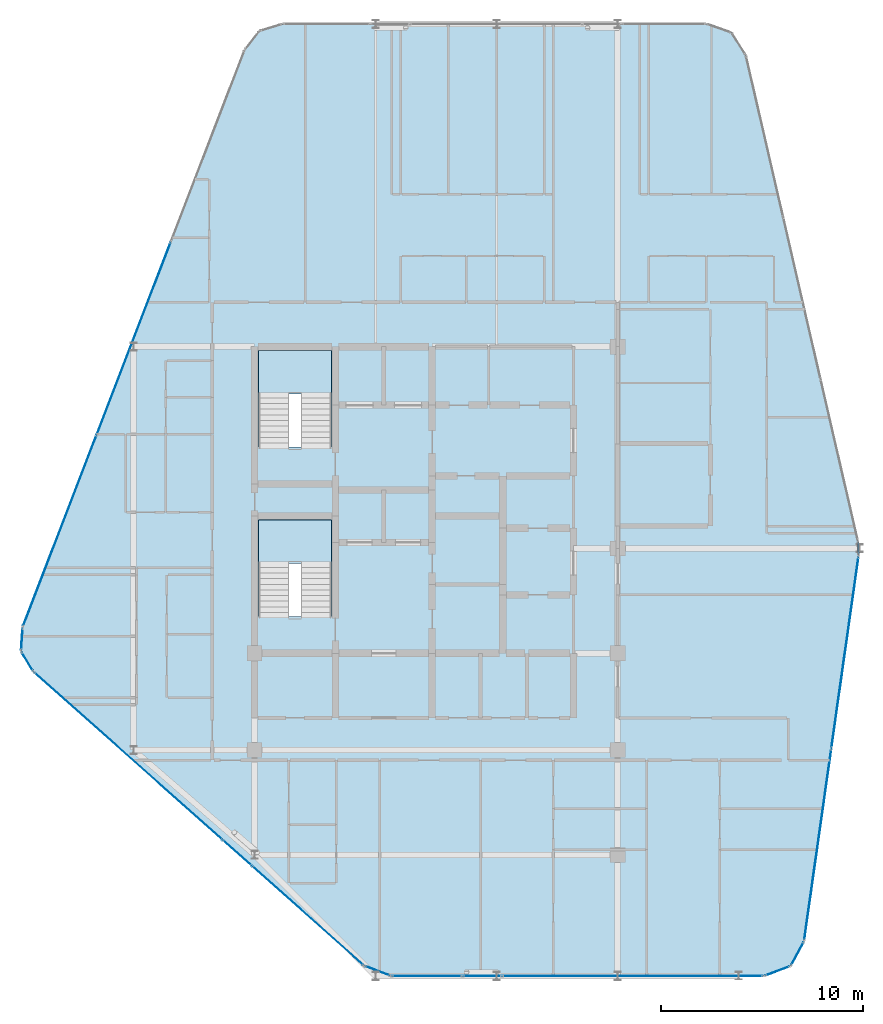
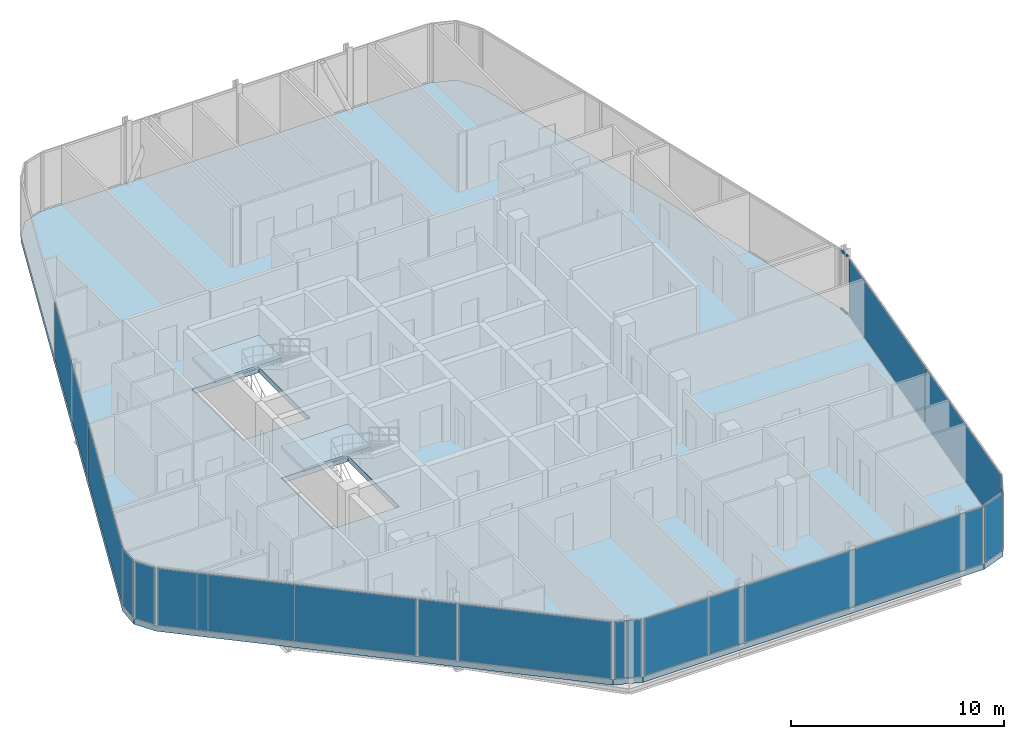
# One storey, part 20 of 27: 15 plates, 3 slabs, 2 members, 16 elements without a shape of their own.
"""IFC4 building model written with IfcOpenShell, lengths in metres."""

from ifc_helpers import new_model, si_unit, direction, frame, origin, origin_2d, place, context, subcontext, project, spatial, polyline, rectangle, hollow_rectangle, outline, extrude, material, layer, layer_set, material_profile, profile_set, type_object, element, aggregate, save


model = new_model("IFC4")

# Units and contexts
model_context = context("Model", 3, precision=1e-05, world=origin(), true_north=direction((0.0, 1.0)))
body_context = subcontext(model_context, "Body", "Model", "MODEL_VIEW")
ifc_project = project(units=[si_unit("LENGTHUNIT", "METRE"), si_unit("AREAUNIT", "SQUARE_METRE"), si_unit("VOLUMEUNIT", "CUBIC_METRE"), si_unit("PLANEANGLEUNIT", "RADIAN"), si_unit("MASSUNIT", "GRAM", prefix="KILO")], contexts=[model_context])

# Site, building, storey
site_placement = place(None, origin())
site = spatial("IfcSite", under=ifc_project, at=site_placement, CompositionType="ELEMENT")
building_placement = place(site_placement, origin())
building = spatial("IfcBuilding", under=site, at=building_placement, Name="Keshet Zoharim Tower", CompositionType="ELEMENT")
storey_placement = place(building_placement, frame((0.0, 0.0, 262.10009765625)))
storey = spatial("IfcBuildingStorey", under=building, at=storey_placement, Name="L65", CompositionType="ELEMENT", Elevation=262.10009765625)

# Curtain wall, members
ifc_material_1 = material(Name="Aluminium 6063-T6", Category="aluminium")
ifc_layer_1 = layer(ifc_material_1, 0.260009765625)
ifc_layer_set_1 = layer_set([ifc_layer_1], Name="Aluminium 6063-T6")
curtain_wall_type = type_object("IfcCurtainWallType", Name="CW-SYS-06", PredefinedType="NOTDEFINED", material=ifc_layer_set_1)
curtain_wall_1_placement = place(storey_placement, origin())
curtain_wall_1 = element("IfcCurtainWall", 1, at=curtain_wall_1_placement, inside=storey, type_object=curtain_wall_type, Name="L65 Unitised Curtain Wall 10", PredefinedType="NOTDEFINED")
ifc_material_profile = material_profile(ifc_material_1, hollow_rectangle(XDim=0.074951171875, YDim=0.1201171875, WallThickness=0.00390625, at=origin_2d()), Name="TRN-75x120")
ifc_profile_set = profile_set([ifc_material_profile], Name="Aluminium 6063-T6")
member_type = type_object("IfcMemberType", Name="CWT-T12", PredefinedType="USERDEFINED", material=ifc_profile_set)
member_1_placement = place(storey_placement, frame((44.9189453125, 28.192138671875, 0.034912109375), z_axis=(0.043813905352, -0.99903970977, 0.0), x_axis=(0.99903970977, 0.043813905352, 0.0)))
member_1 = element("IfcMember", 2, at=member_1_placement, type_object=member_type, Name="CW-06 transom 1.1", ObjectType="TRANSOM", PredefinedType="USERDEFINED", context=body_context, shape_type="SweptSolid", body=[
    extrude(hollow_rectangle(XDim=0.074951171875, YDim=0.1201171875, WallThickness=0.00390625, at=origin_2d()), origin(), (0.0, 0.0, 1.0), 0.590576171875),
])
member_2_placement = place(storey_placement, frame((44.9189453125, 28.192138671875, 3.35498046875), z_axis=(0.043813905352, -0.99903970977, 0.0), x_axis=(0.99903970977, 0.043813905352, 0.0)))
member_2 = element("IfcMember", 3, at=member_2_placement, type_object=member_type, Name="CW-06 transom 1.2", ObjectType="TRANSOM", PredefinedType="USERDEFINED", context=body_context, shape_type="SweptSolid", body=[
    extrude(hollow_rectangle(XDim=0.074951171875, YDim=0.1201171875, WallThickness=0.00390625, at=origin_2d()), origin(), (0.0, 0.0, 1.0), 0.590576171875),
])
aggregate(curtain_wall_1, [member_1, member_2])

# Curtain wall, plate
curtain_wall_2_placement = place(storey_placement, origin())
curtain_wall_2 = element("IfcCurtainWall", 4, at=curtain_wall_2_placement, inside=storey, type_object=curtain_wall_type, Name="L65 Unitised Curtain Wall 01", PredefinedType="NOTDEFINED")
ifc_material_2 = material(Name="Insulated Low-E Clear Glass", Category="glass")
ifc_layer_2 = layer(ifc_material_2, 0.028076171875)
ifc_layer_set_2 = layer_set([ifc_layer_2], Name="Insulated Low-E Clear Glass")
plate_type_1 = type_object("IfcPlateType", Name="CWP-03", PredefinedType="CURTAIN_PANEL", material=ifc_layer_set_2)
plate_1_placement = place(storey_placement, frame((3.7275390625, 22.291015625, 0.06982421875), z_axis=(0.0, 0.0, 1.0), x_axis=(-0.515604947933, 0.856826433805, 0.0)))
plate_1 = element("IfcPlate", 5, at=plate_1_placement, type_object=plate_type_1, Name="CW-06 panel 1.1", PredefinedType="CURTAIN_PANEL", context=body_context, shape_type="SweptSolid", body=[
    extrude(rectangle(XDim=1.052734375, YDim=0.028076171875, at=origin_2d()), origin(), (0.0, 0.0, 1.0), 3.25),
])
aggregate(curtain_wall_2, [plate_1])

curtain_wall_3_placement = place(storey_placement, origin())
curtain_wall_3 = element("IfcCurtainWall", 6, at=curtain_wall_3_placement, inside=storey, type_object=curtain_wall_type, Name="L65 Unitised Curtain Wall 02", PredefinedType="NOTDEFINED")
plate_2_placement = place(storey_placement, frame((3.45849609375, 23.3974609375, 0.06982421875), z_axis=(0.0, 0.0, 1.0), x_axis=(0.064516859374, 0.997916617186, 0.0)))
plate_2 = element("IfcPlate", 7, at=plate_2_placement, type_object=plate_type_1, Name="CW-06 panel 1.1", PredefinedType="CURTAIN_PANEL", context=body_context, shape_type="SweptSolid", body=[
    extrude(rectangle(XDim=1.053466796875, YDim=0.028076171875, at=origin_2d()), origin(), (0.0, 0.0, 1.0), 3.25),
])
aggregate(curtain_wall_3, [plate_2])

# Curtain wall, plates
curtain_wall_4_placement = place(storey_placement, origin())
curtain_wall_4 = element("IfcCurtainWall", 8, at=curtain_wall_4_placement, inside=storey, type_object=curtain_wall_type, Name="L65 Unitised Curtain Wall 03", PredefinedType="NOTDEFINED")
plate_3_placement = place(storey_placement, frame((5.33837890625, 28.7802734375, 0.06982421875), z_axis=(0.0, 0.0, 1.0), x_axis=(0.358990003907, 0.933341404361, 0.0)))
plate_3 = element("IfcPlate", 9, at=plate_3_placement, type_object=plate_type_1, Name="CW-06 panel 1.1", PredefinedType="CURTAIN_PANEL", context=body_context, shape_type="SweptSolid", body=[
    extrude(rectangle(XDim=10.1181640625, YDim=0.028076171875, at=origin_2d()), origin(), (0.0, 0.0, 1.0), 3.25),
])
plate_4_placement = place(storey_placement, frame((9.001953125, 38.305419921875, 0.06982421875), z_axis=(0.0, 0.0, 1.0), x_axis=(0.358990003907, 0.933341404361, 0.0)))
plate_4 = element("IfcPlate", 10, at=plate_4_placement, type_object=plate_type_1, Name="CW-06 panel 2.1", PredefinedType="CURTAIN_PANEL", context=body_context, shape_type="SweptSolid", body=[
    extrude(rectangle(XDim=10.153076171875, YDim=0.028076171875, at=origin_2d()), origin(), (0.0, 0.0, 1.0), 3.25),
])
aggregate(curtain_wall_4, [plate_3, plate_4])

curtain_wall_5_placement = place(storey_placement, origin())
curtain_wall_5 = element("IfcCurtainWall", 11, at=curtain_wall_5_placement, inside=storey, type_object=curtain_wall_type, Name="L65 Unitised Curtain Wall 11", PredefinedType="NOTDEFINED")
plate_5_placement = place(storey_placement, frame((44.269287109375, 22.736572265625, 0.06982421875), z_axis=(0.0, 0.0, 1.0), x_axis=(-0.140137464177, -0.990132057422, 0.0)))
plate_5 = element("IfcPlate", 12, at=plate_5_placement, type_object=plate_type_1, Name="CW-06 panel 1.1", PredefinedType="CURTAIN_PANEL", context=body_context, shape_type="SweptSolid", body=[
    extrude(rectangle(XDim=9.546142578125, YDim=0.028076171875, at=origin_2d()), origin(), (0.0, 0.0, 1.0), 3.25),
])
plate_6_placement = place(storey_placement, frame((42.921630859375, 13.21533203125, 0.06982421875), z_axis=(0.0, 0.0, 1.0), x_axis=(-0.140137464177, -0.990132057422, 0.0)))
plate_6 = element("IfcPlate", 13, at=plate_6_placement, type_object=plate_type_1, Name="CW-06 panel 2.1", PredefinedType="CURTAIN_PANEL", context=body_context, shape_type="SweptSolid", body=[
    extrude(rectangle(XDim=9.546142578125, YDim=0.028076171875, at=origin_2d()), origin(), (0.0, 0.0, 1.0), 3.25),
])
aggregate(curtain_wall_5, [plate_5, plate_6])

# Curtain wall, plate
curtain_wall_6_placement = place(storey_placement, origin())
curtain_wall_6 = element("IfcCurtainWall", 14, at=curtain_wall_6_placement, inside=storey, type_object=curtain_wall_type, Name="L65 Unitised Curtain Wall 12", PredefinedType="NOTDEFINED")
plate_7_placement = place(storey_placement, frame((41.908447265625, 7.804931640625, 0.06982421875), z_axis=(0.0, 0.0, 1.0), x_axis=(-0.477800955789, -0.878468125004, 0.0)))
plate_7 = element("IfcPlate", 15, at=plate_7_placement, type_object=plate_type_1, Name="CW-06 panel 1.1", PredefinedType="CURTAIN_PANEL", context=body_context, shape_type="SweptSolid", body=[
    extrude(rectangle(XDim=1.26025390625, YDim=0.028076171875, at=origin_2d()), origin(), (0.0, 0.0, 1.0), 3.25),
])
aggregate(curtain_wall_6, [plate_7])

curtain_wall_7_placement = place(storey_placement, origin())
curtain_wall_7 = element("IfcCurtainWall", 16, at=curtain_wall_7_placement, inside=storey, type_object=curtain_wall_type, Name="L65 Unitised Curtain Wall 13", PredefinedType="NOTDEFINED")
plate_8_placement = place(storey_placement, frame((40.91845703125, 6.945068359375, 0.06982421875), z_axis=(0.0, 0.0, 1.0), x_axis=(-0.936710343781, -0.350105315376, 0.0)))
plate_8 = element("IfcPlate", 17, at=plate_8_placement, type_object=plate_type_1, Name="CW-06 panel 1.1", PredefinedType="CURTAIN_PANEL", context=body_context, shape_type="SweptSolid", body=[
    extrude(rectangle(XDim=1.259521484375, YDim=0.028076171875, at=origin_2d()), origin(), (0.0, 0.0, 1.0), 3.25),
])
aggregate(curtain_wall_7, [plate_8])

curtain_wall_8_placement = place(storey_placement, origin())
curtain_wall_8 = element("IfcCurtainWall", 18, at=curtain_wall_8_placement, inside=storey, type_object=curtain_wall_type, Name="L65 Unitised Curtain Wall 14", PredefinedType="NOTDEFINED")
plate_9_placement = place(storey_placement, frame((33.743896484375, 6.699951171875, 0.06982421875), z_axis=(0.0, 0.0, 1.0), x_axis=(-1.0, 0.0, 0.0)))
plate_9 = element("IfcPlate", 19, at=plate_9_placement, type_object=plate_type_1, Name="CW-06 panel 1.1", PredefinedType="CURTAIN_PANEL", context=body_context, shape_type="SweptSolid", body=[
    extrude(rectangle(XDim=12.898193359375, YDim=0.028076171875, at=origin_2d()), origin(), (0.0, 0.0, 1.0), 3.25),
])
aggregate(curtain_wall_8, [plate_9])

curtain_wall_9_placement = place(storey_placement, origin())
curtain_wall_9 = element("IfcCurtainWall", 20, at=curtain_wall_9_placement, inside=storey, type_object=curtain_wall_type, Name="L65 Unitised Curtain Wall 14 Part 3", PredefinedType="NOTDEFINED")
plate_10_placement = place(storey_placement, frame((23.552490234375, 6.699951171875, 0.06982421875), z_axis=(0.0, 0.0, 1.0), x_axis=(-1.0, 0.0, 0.0)))
plate_10 = element("IfcPlate", 21, at=plate_10_placement, type_object=plate_type_1, Name="CW-06 panel 1.1", PredefinedType="CURTAIN_PANEL", context=body_context, shape_type="SweptSolid", body=[
    extrude(rectangle(XDim=3.4453125, YDim=0.028076171875, at=origin_2d()), origin(), (0.0, 0.0, 1.0), 3.25),
])
aggregate(curtain_wall_9, [plate_10])

curtain_wall_10_placement = place(storey_placement, origin())
curtain_wall_10 = element("IfcCurtainWall", 22, at=curtain_wall_10_placement, inside=storey, type_object=curtain_wall_type, Name="L65 Unitised Curtain Wall 15", PredefinedType="NOTDEFINED")
plate_11_placement = place(storey_placement, frame((21.095947265625, 6.952392578125, 0.06982421875), z_axis=(0.0, 0.0, 1.0), x_axis=(-0.934699418314, 0.355439161326, 0.0)))
plate_11 = element("IfcPlate", 23, at=plate_11_placement, type_object=plate_type_1, Name="CW-06 panel 1.1", PredefinedType="CURTAIN_PANEL", context=body_context, shape_type="SweptSolid", body=[
    extrude(rectangle(XDim=1.28076171875, YDim=0.028076171875, at=origin_2d()), origin(), (0.0, 0.0, 1.0), 3.25),
])
aggregate(curtain_wall_10, [plate_11])

curtain_wall_11_placement = place(storey_placement, origin())
curtain_wall_11 = element("IfcCurtainWall", 24, at=curtain_wall_11_placement, inside=storey, type_object=curtain_wall_type, Name="L65 Unitised Curtain Wall 16", PredefinedType="NOTDEFINED")
plate_12_placement = place(storey_placement, frame((17.634521484375, 9.691650390625, 0.06982421875), z_axis=(0.0, 0.0, 1.0), x_axis=(-0.747410792699, 0.664362180559, 0.0)))
plate_12 = element("IfcPlate", 25, at=plate_12_placement, type_object=plate_type_1, Name="CW-06 panel 1.1", PredefinedType="CURTAIN_PANEL", context=body_context, shape_type="SweptSolid", body=[
    extrude(rectangle(XDim=7.345947265625, YDim=0.028076171875, at=origin_2d()), origin(), (0.0, 0.0, 1.0), 3.25),
])
aggregate(curtain_wall_11, [plate_12])

curtain_wall_12_placement = place(storey_placement, origin())
curtain_wall_12 = element("IfcCurtainWall", 26, at=curtain_wall_12_placement, inside=storey, type_object=curtain_wall_type, Name="L65 Unitised Curtain Wall 16 Part 3", PredefinedType="NOTDEFINED")
plate_13_placement = place(storey_placement, frame((8.7333984375, 17.603515625, 0.06982421875), z_axis=(0.0, 0.0, 1.0), x_axis=(-0.747409318679, 0.664363838836, 0.0)))
plate_13 = element("IfcPlate", 27, at=plate_13_placement, type_object=plate_type_1, Name="CW-06 panel 1.1", PredefinedType="CURTAIN_PANEL", context=body_context, shape_type="SweptSolid", body=[
    extrude(rectangle(XDim=12.432861328125, YDim=0.028076171875, at=origin_2d()), origin(), (0.0, 0.0, 1.0), 3.25),
])
aggregate(curtain_wall_12, [plate_13])

curtain_wall_13_placement = place(storey_placement, origin())
curtain_wall_13 = element("IfcCurtainWall", 28, at=curtain_wall_13_placement, inside=storey, type_object=curtain_wall_type, Name="L65 Unitised Curtain Wall 14 Part 2", PredefinedType="NOTDEFINED")
ifc_material_3 = material(Name="Insulated Aluminium Spandrel Panel", Category="aluminium")
ifc_layer_3 = layer(ifc_material_3, 0.028076171875)
ifc_layer_set_3 = layer_set([ifc_layer_3], Name="Insulated Aluminium Spandrel Panel")
plate_type_2 = type_object("IfcPlateType", Name="CWP-06", PredefinedType="CURTAIN_PANEL", material=ifc_layer_set_3)
plate_14_placement = place(storey_placement, frame((26.284912109375, 6.699951171875, 0.06982421875), z_axis=(0.0, 0.0, 1.0), x_axis=(-1.0, 0.0, 0.0)))
plate_14 = element("IfcPlate", 29, at=plate_14_placement, type_object=plate_type_2, Name="CW-06 spandrel panel 1.1", PredefinedType="CURTAIN_PANEL", context=body_context, shape_type="SweptSolid", body=[
    extrude(rectangle(XDim=1.879638671875, YDim=0.028076171875, at=origin_2d()), origin(), (0.0, 0.0, 1.0), 3.25),
])
aggregate(curtain_wall_13, [plate_14])

curtain_wall_14_placement = place(storey_placement, origin())
curtain_wall_14 = element("IfcCurtainWall", 30, at=curtain_wall_14_placement, inside=storey, type_object=curtain_wall_type, Name="L65 Unitised Curtain Wall 16 Part 2", PredefinedType="NOTDEFINED")
plate_15_placement = place(storey_placement, frame((14.134521484375, 12.802734375, 0.06982421875), z_axis=(0.0, 0.0, 1.0), x_axis=(-0.747431957629, 0.664338369143, 0.0)))
plate_15 = element("IfcPlate", 31, at=plate_15_placement, type_object=plate_type_2, Name="CW-06 spandrel panel 1.1", PredefinedType="CURTAIN_PANEL", context=body_context, shape_type="SweptSolid", body=[
    extrude(rectangle(XDim=1.879638671875, YDim=0.028076171875, at=origin_2d()), origin(), (0.0, 0.0, 1.0), 3.25),
])
aggregate(curtain_wall_14, [plate_15])

# Stair, slab
ifc_material_4 = material(Name="Concrete C50/60", Category="concrete")
stair_type = type_object("IfcStairType", Name="STR-EXIT-135", PredefinedType="HALF_TURN_STAIR", material=ifc_material_4)
stair_1_placement = place(storey_placement, origin())
stair_1 = element("IfcStair", 32, at=stair_1_placement, inside=storey, type_object=stair_type, Name="L65 Enclosed Exit Stair ST-01", PredefinedType="HALF_TURN_STAIR")
ifc_layer_4 = layer(ifc_material_4, 0.199951171875)
ifc_layer_set_4 = layer_set([ifc_layer_4], Name="Concrete C50/60")
slab_type_1 = type_object("IfcSlabType", Name="SLB-LND-200", PredefinedType="LANDING", material=ifc_layer_set_4)
slab_1_placement = place(storey_placement, frame((0.0, 0.0, 1.64990234375)))
slab_1 = element("IfcSlab", 33, at=slab_1_placement, type_object=slab_type_1, Name="ST-01 landing 1", PredefinedType="LANDING", context=body_context, shape_type="SweptSolid", body=[
    extrude(outline(polyline([(15.179931640625, 27.159912109375), (18.820068359375, 27.159912109375), (18.820068359375, 29.320068359375), (15.179931640625, 29.320068359375), (15.179931640625, 27.159912109375)])), origin(), (0.0, 0.0, 1.0), 0.199951171875),
])
aggregate(stair_1, [slab_1])

stair_2_placement = place(storey_placement, origin())
stair_2 = element("IfcStair", 34, at=stair_2_placement, inside=storey, type_object=stair_type, Name="L65 Enclosed Exit Stair ST-02", PredefinedType="HALF_TURN_STAIR")
slab_2_placement = place(storey_placement, frame((0.0, 0.0, 1.64990234375)))
slab_2 = element("IfcSlab", 35, at=slab_2_placement, type_object=slab_type_1, Name="ST-02 landing 1", PredefinedType="LANDING", context=body_context, shape_type="SweptSolid", body=[
    extrude(outline(polyline([(15.179931640625, 35.56005859375), (18.820068359375, 35.56005859375), (18.820068359375, 37.719970703125), (15.179931640625, 37.719970703125), (15.179931640625, 35.56005859375)])), origin(), (0.0, 0.0, 1.0), 0.199951171875),
])
aggregate(stair_2, [slab_2])

# Slab
ifc_layer_5 = layer(ifc_material_4, 0.31005859375)
ifc_layer_set_5 = layer_set([ifc_layer_5], Name="Concrete C50/60")
slab_type_2 = type_object("IfcSlabType", Name="SLB-UPP-240", PredefinedType="FLOOR", material=ifc_layer_set_5)
slab_3_placement = place(storey_placement, frame((0.0, 0.0, -0.31005859375)))
element("IfcSlab", 36, at=slab_3_placement, inside=storey, type_object=slab_type_2, Name="L65 Structural Floor Slab 1", PredefinedType="FLOOR", context=body_context, shape_type="SweptSolid", body=[
    extrude(outline(polyline([(4.034912109375, 21.780029296875), (3.419921875, 22.802001953125), (3.4970703125, 23.992919921875), (14.507080078125, 52.617919921875), (15.240966796875, 53.549072265625), (16.3740234375, 53.89990234375), (37.408935546875, 53.89990234375), (38.654052734375, 53.465087890625), (39.35791015625, 52.35009765625), (44.916015625, 28.261962890625), (44.947998046875, 27.531982421875), (42.242919921875, 8.419921875), (41.573974609375, 7.18994140625), (40.262939453125, 6.699951171875), (21.760009765625, 6.699951171875), (20.431884765625, 7.205078125), (4.034912109375, 21.780029296875)]), holes=[polyline([(15.179931640625, 24.52001953125), (18.820068359375, 24.52001953125), (18.820068359375, 29.320068359375), (15.179931640625, 29.320068359375), (15.179931640625, 24.52001953125)]), polyline([(15.179931640625, 32.919921875), (18.820068359375, 32.919921875), (18.820068359375, 37.719970703125), (15.179931640625, 37.719970703125), (15.179931640625, 32.919921875)])]), origin(), (0.0, 0.0, 1.0), 0.31005859375),
])

save(model, "model.ifc")
